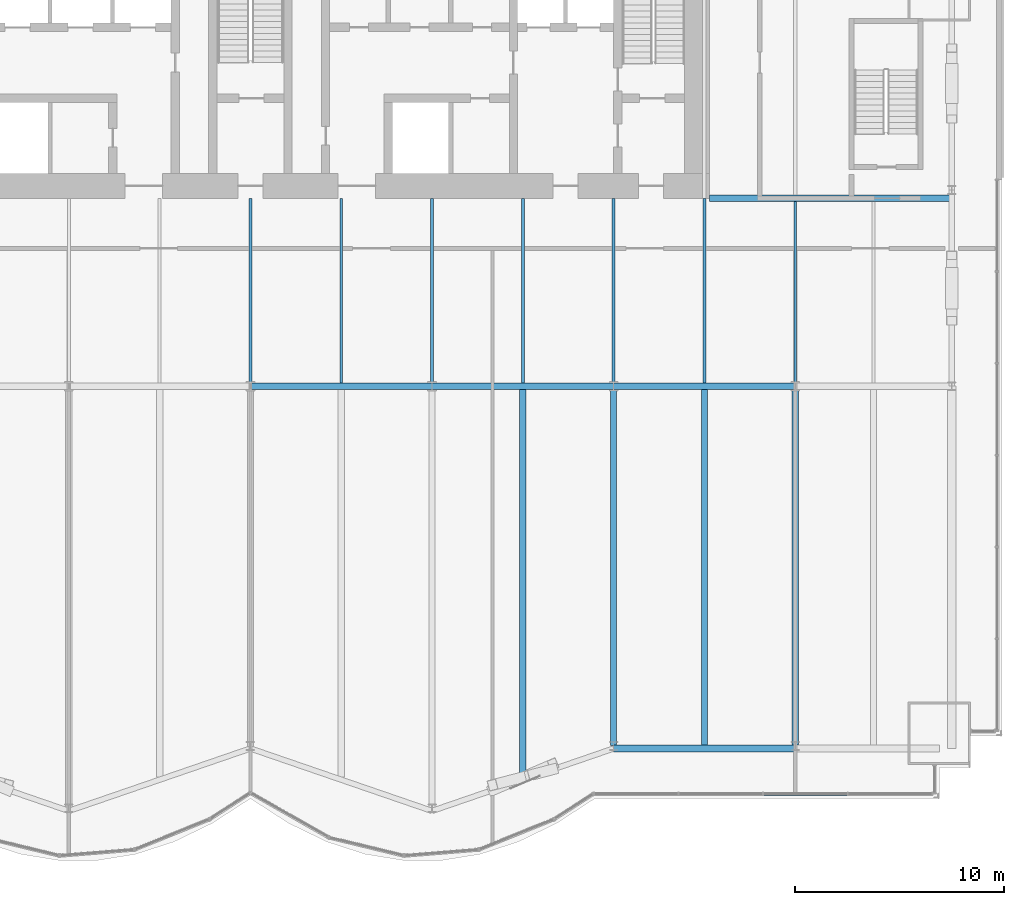
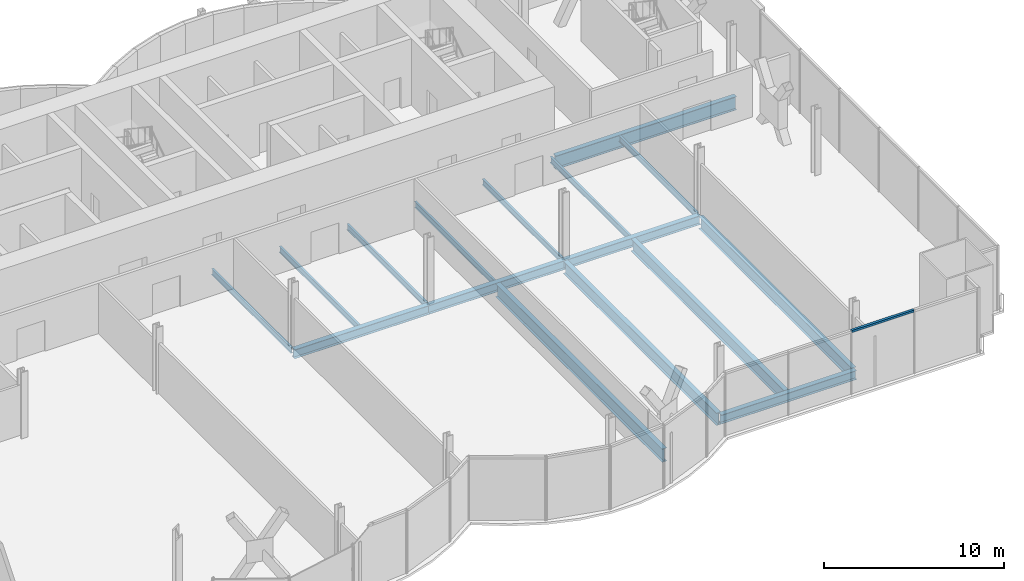
# One storey, part 9 of 22: 16 beams, 1 member, 1 element without a shape of its own.
"""IFC4 building model written with IfcOpenShell, lengths in metres."""

from ifc_helpers import new_model, si_unit, direction, frame, origin, origin_2d, place, context, subcontext, project, spatial, rectangle, i_section, extrude, material, material_profile, profile_set, type_object, element, aggregate, save


model = new_model("IFC4")

# Units and contexts
model_context = context("Model", 3, precision=1e-05, world=origin(), true_north=direction((0.0, 1.0)))
body_context = subcontext(model_context, "Body", "Model", "MODEL_VIEW")
ifc_project = project(units=[si_unit("LENGTHUNIT", "METRE"), si_unit("AREAUNIT", "SQUARE_METRE"), si_unit("VOLUMEUNIT", "CUBIC_METRE"), si_unit("PLANEANGLEUNIT", "RADIAN"), si_unit("MASSUNIT", "GRAM", prefix="KILO")], contexts=[model_context])

# Site, building, storey
site_placement = place(None, origin())
site = spatial("IfcSite", under=ifc_project, at=site_placement, CompositionType="ELEMENT")
building_placement = place(site_placement, origin())
building = spatial("IfcBuilding", under=site, at=building_placement, Name="Bicima Exchange Tower", CompositionType="ELEMENT")
storey_placement = place(building_placement, frame((0.0, 0.0, 39.5)))
storey = spatial("IfcBuildingStorey", under=building, at=storey_placement, Name="L07", CompositionType="ELEMENT", Elevation=39.5)

# Beams
ifc_material_1 = material(Name="Steel ASTM A992 Gr 50", Category="steel")
ifc_material_profile_1 = material_profile(ifc_material_1, i_section(OverallWidth=0.3046875, OverallDepth=0.911865234375, WebThickness=0.015869140625, FlangeThickness=0.02392578125, at=origin_2d()))
ifc_profile_set_1 = profile_set([ifc_material_profile_1], Name="Steel ASTM A992 Gr 50")
beam_type_1 = type_object("IfcBeamType", Name="Core-line girder W36x150", PredefinedType="BEAM", material=ifc_profile_set_1)
beam_1_placement = place(storey_placement, frame((22.0, -13.0, -0.60595703125), z_axis=(1.0, 0.0, 0.0), x_axis=(0.0, 1.0, 0.0)))
element("IfcBeam", 1, at=beam_1_placement, inside=storey, type_object=beam_type_1, Name="Core-line girder", PredefinedType="BEAM", context=body_context, shape_type="SweptSolid", body=[
    extrude(i_section(OverallWidth=0.3046875, OverallDepth=0.911865234375, WebThickness=0.015869140625, FlangeThickness=0.02392578125, at=origin_2d()), origin(), (0.0, 0.0, 1.0), 11.60009765625),
])
ifc_material_profile_2 = material_profile(ifc_material_1, i_section(OverallWidth=0.140380859375, OverallDepth=0.40380859375, WebThickness=0.007080078125, FlangeThickness=0.01123046875, at=origin_2d()))
ifc_profile_set_2 = profile_set([ifc_material_profile_2], Name="Steel ASTM A992 Gr 50")
beam_type_2 = type_object("IfcBeamType", Name="Floor beam W16x31", PredefinedType="JOIST", material=ifc_profile_set_2)
for number, where, z_axis, x_axis, name in (
    (2, (0.0, -13.0, -0.351806640625), (0.0, -1.0, 0.0), (1.0, 0.0, 0.0), "Floor beam"),
    (3, (4.35009765625, -13.0, -0.351806640625), (0.0, -1.0, 0.0), (1.0, 0.0, 0.0), "Floor beam"),
    (4, (8.699951171875, -13.0, -0.351806640625), (0.0, -1.0, 0.0), (1.0, 0.0, 0.0), "Floor beam"),
    (5, (13.050048828125, -13.0, -0.351806640625), (0.0, -1.0, 0.0), (1.0, 0.0, 0.0), "Floor beam"),
    (6, (17.39990234375, -13.0, -0.351806640625), (0.0, -1.0, 0.0), (1.0, 0.0, 0.0), "Floor beam"),
    (7, (21.75, -13.0, -0.351806640625), (0.0, -1.0, 0.0), (1.0, 0.0, 0.0), "Floor beam"),
):
    element("IfcBeam", number, at=place(storey_placement, frame(where, z_axis=z_axis, x_axis=x_axis)), inside=storey, type_object=beam_type_2, Name=name, PredefinedType="JOIST", context=body_context, shape_type="SweptSolid", body=[
        extrude(i_section(OverallWidth=0.140380859375, OverallDepth=0.40380859375, WebThickness=0.007080078125, FlangeThickness=0.01123046875, at=origin_2d()), origin(), (0.0, 0.0, 1.0), 8.83740234375),
    ])
beam_2_placement = place(storey_placement, frame((26.10009765625, -13.15234375, -0.351806640625), z_axis=(0.0, -1.0, 0.0), x_axis=(1.0, 0.0, 0.0)))
element("IfcBeam", 8, at=beam_2_placement, inside=storey, type_object=beam_type_2, Name="Floor beam", PredefinedType="JOIST", context=body_context, shape_type="SweptSolid", body=[
    extrude(i_section(OverallWidth=0.140380859375, OverallDepth=0.40380859375, WebThickness=0.007080078125, FlangeThickness=0.01123046875, at=origin_2d()), origin(), (0.0, 0.0, 1.0), 8.68505859375),
])
ifc_material_profile_3 = material_profile(ifc_material_1, i_section(OverallWidth=0.2919921875, OverallDepth=0.835693359375, WebThickness=0.013916015625, FlangeThickness=0.018798828125, at=origin_2d()))
ifc_profile_set_3 = profile_set([ifc_material_profile_3], Name="Steel ASTM A992 Gr 50")
beam_type_3 = type_object("IfcBeamType", Name="Floor beam W33x118", PredefinedType="JOIST", material=ifc_profile_set_3)
beam_3_placement = place(storey_placement, frame((17.39990234375, -22.16259765625, -0.56787109375), z_axis=(0.0, -1.0, 0.0), x_axis=(1.0, 0.0, 0.0)))
element("IfcBeam", 9, at=beam_3_placement, inside=storey, type_object=beam_type_3, Name="Floor beam", PredefinedType="JOIST", context=body_context, shape_type="SweptSolid", body=[
    extrude(i_section(OverallWidth=0.2919921875, OverallDepth=0.835693359375, WebThickness=0.013916015625, FlangeThickness=0.018798828125, at=origin_2d()), origin(), (0.0, 0.0, 1.0), 17.057861328125),
])
for number, where, z_axis, x_axis, name in (
    (10, (21.75, -22.16259765625, -0.56787109375), (0.0, -1.0, 0.0), (1.0, 0.0, 0.0), "Floor beam"),
    (11, (26.10009765625, -22.16259765625, -0.56787109375), (0.0, -1.0, 0.0), (1.0, 0.0, 0.0), "Floor beam"),
):
    element("IfcBeam", number, at=place(storey_placement, frame(where, z_axis=z_axis, x_axis=x_axis)), inside=storey, type_object=beam_type_3, Name=name, PredefinedType="JOIST", context=body_context, shape_type="SweptSolid", body=[
        extrude(i_section(OverallWidth=0.2919921875, OverallDepth=0.835693359375, WebThickness=0.013916015625, FlangeThickness=0.018798828125, at=origin_2d()), origin(), (0.0, 0.0, 1.0), 17.03076171875),
    ])
ifc_material_profile_4 = material_profile(ifc_material_1, i_section(OverallWidth=0.3046875, OverallDepth=0.904296875, WebThickness=0.01513671875, FlangeThickness=0.02001953125, at=origin_2d()))
ifc_profile_set_4 = profile_set([ifc_material_profile_4], Name="Steel ASTM A992 Gr 50")
beam_type_4 = type_object("IfcBeamType", Name="Floor beam W36x135", PredefinedType="JOIST", material=ifc_profile_set_4)
beam_4_placement = place(storey_placement, frame((13.050048828125, -22.16259765625, -0.60205078125), z_axis=(0.0, -1.0, 0.0), x_axis=(1.0, 0.0, 0.0)))
element("IfcBeam", 12, at=beam_4_placement, inside=storey, type_object=beam_type_4, Name="Floor beam", PredefinedType="JOIST", context=body_context, shape_type="SweptSolid", body=[
    extrude(i_section(OverallWidth=0.3046875, OverallDepth=0.904296875, WebThickness=0.01513671875, FlangeThickness=0.02001953125, at=origin_2d()), origin(), (0.0, 0.0, 1.0), 18.55322265625),
])
ifc_material_profile_5 = material_profile(ifc_material_1, i_section(OverallWidth=0.3251953125, OverallDepth=0.612060546875, WebThickness=0.0126953125, FlangeThickness=0.01904296875, at=origin_2d()))
ifc_profile_set_5 = profile_set([ifc_material_profile_5], Name="Steel ASTM A992 Gr 50")
beam_type_5 = type_object("IfcBeamType", Name="Front girder W24x104", PredefinedType="BEAM", material=ifc_profile_set_5)
beam_5_placement = place(storey_placement, frame((17.39990234375, -39.35595703125, -0.4560546875), z_axis=(1.0, 0.0, 0.0), x_axis=(0.0, 1.0, 0.0)))
element("IfcBeam", 13, at=beam_5_placement, inside=storey, type_object=beam_type_5, Name="Front girder", PredefinedType="BEAM", context=body_context, shape_type="SweptSolid", body=[
    extrude(i_section(OverallWidth=0.3251953125, OverallDepth=0.612060546875, WebThickness=0.0126953125, FlangeThickness=0.01904296875, at=origin_2d()), origin(), (0.0, 0.0, 1.0), 8.7001953125),
])

# Curtain wall, member
ifc_material_2 = material(Name="Anodised bronze aluminium", Category="aluminium")
curtain_wall_type = type_object("IfcCurtainWallType", Name="Front glass wall", PredefinedType="NOTDEFINED", material=ifc_material_2)
curtain_wall_placement = place(storey_placement, origin())
curtain_wall = element("IfcCurtainWall", 14, at=curtain_wall_placement, inside=storey, type_object=curtain_wall_type, Name="Front glass wall L07 run 16", PredefinedType="NOTDEFINED")
ifc_material_profile_6 = material_profile(ifc_material_2, rectangle(XDim=0.159912109375, YDim=0.139892578125, at=origin_2d()))
ifc_profile_set_6 = profile_set([ifc_material_profile_6], Name="Anodised bronze aluminium")
member_type = type_object("IfcMemberType", Name="Front glass wall transom 140 x 160", PredefinedType="USERDEFINED", material=ifc_profile_set_6)
member_placement = place(storey_placement, frame((24.591064453125, -41.52587890625, 4.280029296875), z_axis=(1.0, 0.0, 0.0), x_axis=(0.0, 1.0, 0.0)))
member = element("IfcMember", 15, at=member_placement, type_object=member_type, Name="Front glass wall transom 3.1", ObjectType="TRANSOM", PredefinedType="USERDEFINED", context=body_context, shape_type="SweptSolid", body=[
    extrude(rectangle(XDim=0.159912109375, YDim=0.139892578125, at=origin_2d()), origin(), (0.0, 0.0, 1.0), 3.989501953125),
])
aggregate(curtain_wall, [member])

# Beams
beam_type_6 = type_object("IfcBeamType", Name="Row girder W24x104", PredefinedType="BEAM", material=ifc_profile_set_5)
for number, where, z_axis, x_axis, name in (
    (16, (0.0, -22.0, -0.4560546875), (1.0, 0.0, 0.0), (0.0, 1.0, 0.0), "Row girder"),
    (17, (8.699951171875, -22.0, -0.4560546875), (1.0, 0.0, 0.0), (0.0, 1.0, 0.0), "Row girder"),
):
    element("IfcBeam", number, at=place(storey_placement, frame(where, z_axis=z_axis, x_axis=x_axis)), inside=storey, type_object=beam_type_6, Name=name, PredefinedType="BEAM", context=body_context, shape_type="SweptSolid", body=[
        extrude(i_section(OverallWidth=0.3251953125, OverallDepth=0.612060546875, WebThickness=0.0126953125, FlangeThickness=0.01904296875, at=origin_2d()), origin(), (0.0, 0.0, 1.0), 8.699951171875),
    ])
beam_6_placement = place(storey_placement, frame((17.39990234375, -22.0, -0.4560546875), z_axis=(1.0, 0.0, 0.0), x_axis=(0.0, 1.0, 0.0)))
element("IfcBeam", 18, at=beam_6_placement, inside=storey, type_object=beam_type_6, Name="Row girder", PredefinedType="BEAM", context=body_context, shape_type="SweptSolid", body=[
    extrude(i_section(OverallWidth=0.3251953125, OverallDepth=0.612060546875, WebThickness=0.0126953125, FlangeThickness=0.01904296875, at=origin_2d()), origin(), (0.0, 0.0, 1.0), 8.7001953125),
])

save(model, "model.ifc")
